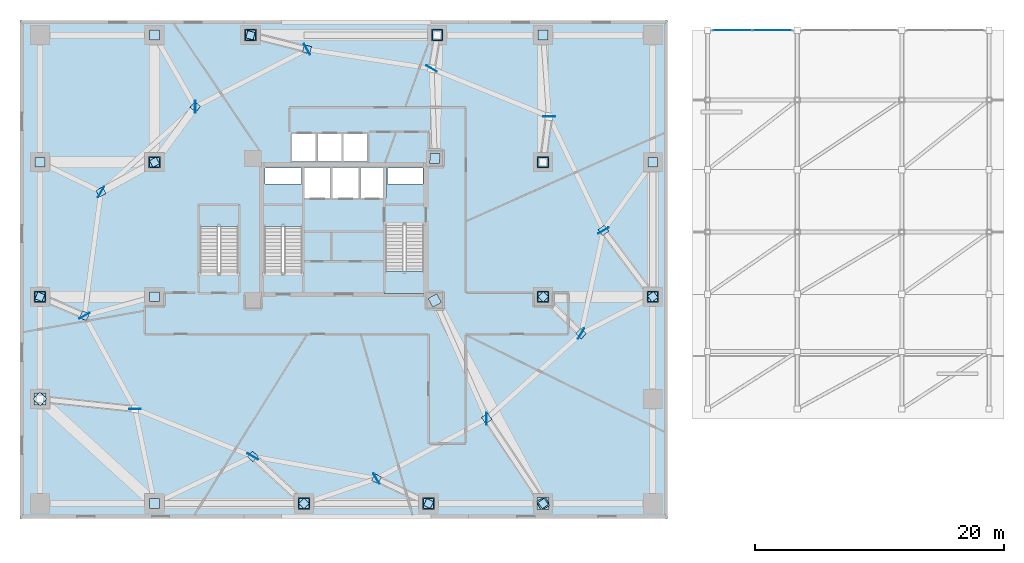
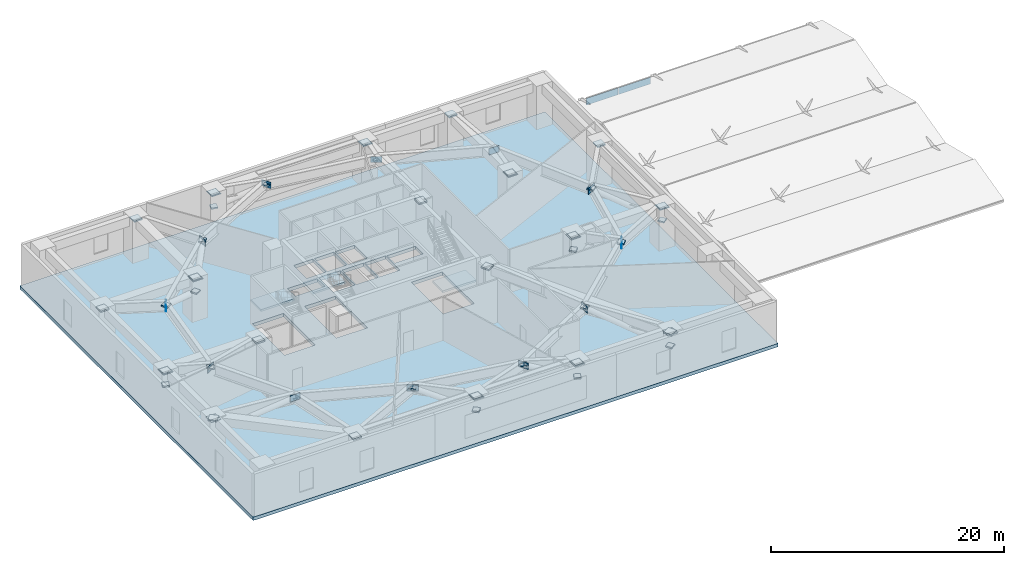
# One storey, part 7 of 13: 61 plates, 4 slabs, 4 elements without a shape of their own.
"""IFC4 building model written with IfcOpenShell, lengths in metres."""

import ifcopenshell
import ifcopenshell.guid

model = None  # the IFC model being written
_history = None  # IfcOwnerHistory: only IFC2X3 demands one
_inside = {}  # id of a spatial element -> (the spatial element, [elements in it])
_under = {}  # id of a project, library or spatial element -> (it, [spatial elements below it])
_declared = {}  # id of a project -> (the project, [libraries it declares])
_typed = {}  # id of a type object -> (the type object, [elements of that type])
_made_of = {}  # id of a material, layer set ... -> (it, [elements and type objects made of it])


def new_model(schema):
    """Start an empty IFC model of exactly this schema.

    Asked for "IFC4X3", IfcOpenShell would pick the latest addendum, in which some entities
    have other attributes; the version numbers below select the first issue.
    IFC2X3 requires an IfcOwnerHistory on every rooted entity: one is made here for all.
    """
    global model, _history
    if schema == "IFC4X3":
        model = ifcopenshell.file(schema_version=(4, 3, 0, 0))
    else:
        model = ifcopenshell.file(schema=schema)
    _inside.clear()
    _under.clear()
    _declared.clear()
    _typed.clear()
    _made_of.clear()
    _history = None
    if model.schema == "IFC2X3":
        org = make("IfcOrganization", Name="unknown")
        user = make(
            "IfcPersonAndOrganization",
            ThePerson=make("IfcPerson", FamilyName="unknown"),
            TheOrganization=org,
        )
        app = make(
            "IfcApplication",
            ApplicationDeveloper=org,
            Version="unknown",
            ApplicationFullName="unknown",
            ApplicationIdentifier="unknown",
        )
        _history = make(
            "IfcOwnerHistory",
            OwningUser=user,
            OwningApplication=app,
            ChangeAction="ADDED",
            CreationDate=0,
        )
    return model


def make(cls, **values):
    """One entity of the class cls with the attributes given. An attribute that is None is left unset."""
    return model.create_entity(
        cls, **{name: value for name, value in values.items() if value is not None}
    )


def rooted(cls, **values):
    """An entity with a GlobalId (a new one), such as an element, a storey or a relation."""
    return make(cls, GlobalId=ifcopenshell.guid.new(), OwnerHistory=_history, **values)


def si_unit(unit_type, name, prefix=None):
    """IfcSIUnit, for example si_unit("LENGTHUNIT", "METRE", prefix="MILLI")."""
    return make("IfcSIUnit", UnitType=unit_type, Prefix=prefix, Name=name)


def assignment(units):
    """IfcUnitAssignment: the units of a project."""
    return None if units is None else make("IfcUnitAssignment", Units=units)


def point(xyz):
    """IfcCartesianPoint."""
    return None if xyz is None else make("IfcCartesianPoint", Coordinates=xyz)


def direction(xyz):
    """IfcDirection."""
    return None if xyz is None else make("IfcDirection", DirectionRatios=xyz)


def frame(location, z_axis=None, x_axis=None):
    """IfcAxis2Placement3D, a coordinate frame: its origin and axes. An axis left out is left unset."""
    return make(
        "IfcAxis2Placement3D",
        Location=point(location),
        Axis=direction(z_axis),
        RefDirection=direction(x_axis),
    )


def frame_2d(location, x_axis=None):
    """IfcAxis2Placement2D, a coordinate frame in the plane: its origin and x axis."""
    return make(
        "IfcAxis2Placement2D", Location=point(location), RefDirection=direction(x_axis)
    )


def origin():
    """The frame at (0, 0, 0) with its axes left unset."""
    return frame((0.0, 0.0, 0.0))


def origin_2d():
    """The frame at (0, 0) in the plane with its x axis left unset."""
    return frame_2d((0.0, 0.0))


def place(relative_to, where):
    """IfcLocalPlacement: puts the frame where relative to a parent placement (None: the world)."""
    return make(
        "IfcLocalPlacement", PlacementRelTo=relative_to, RelativePlacement=where
    )


def context(
    kind, dimensions, precision=None, world=None, true_north=None, identifier=None
):
    """IfcGeometricRepresentationContext, for example the 3D "Model" context."""
    return make(
        "IfcGeometricRepresentationContext",
        ContextIdentifier=identifier,
        ContextType=kind,
        CoordinateSpaceDimension=dimensions,
        Precision=precision,
        WorldCoordinateSystem=world,
        TrueNorth=true_north,
    )


def subcontext(parent, identifier, kind, view, scale=None):
    """IfcGeometricRepresentationSubContext, for example "Body" below "Model"."""
    return make(
        "IfcGeometricRepresentationSubContext",
        ContextIdentifier=identifier,
        ContextType=kind,
        ParentContext=parent,
        TargetScale=scale,
        TargetView=view,
    )


def project(units=None, contexts=None):
    """IfcProject with its units and contexts."""
    return rooted(
        "IfcProject",
        Name="project",
        RepresentationContexts=contexts,
        UnitsInContext=assignment(units),
    )


def spatial(cls, under=None, at=None, **own):
    """A site, building, storey or space (cls), placed at a placement, below another one or the project."""
    s = rooted(cls, ObjectPlacement=at, **own)
    if under is not None:
        _under.setdefault(under.id(), (under, []))[1].append(s)
    return s


def polyline(points):
    """IfcPolyline through the points."""
    return make("IfcPolyline", Points=[point(p) for p in points])


def profile(cls, at=None, kind="AREA", **sizes):
    """A parametric profile (cls). Its sizes go by their IFC names, for example OverallWidth=200.0."""
    return make(cls, ProfileType=kind, Position=at, **sizes)


def rectangle(**sizes):
    """IfcRectangleProfileDef."""
    return profile("IfcRectangleProfileDef", **sizes)


def outline(outer, holes=None, kind="AREA"):
    """IfcArbitraryClosedProfileDef: a profile drawn as a closed curve; with holes, ...WithVoids."""
    if holes is None:
        return make("IfcArbitraryClosedProfileDef", ProfileType=kind, OuterCurve=outer)
    return make(
        "IfcArbitraryProfileDefWithVoids",
        ProfileType=kind,
        OuterCurve=outer,
        InnerCurves=holes,
    )


def extrude(swept, where, along, depth):
    """IfcExtrudedAreaSolid: the profile swept, set in the frame where, extruded along a direction by depth."""
    return make(
        "IfcExtrudedAreaSolid",
        SweptArea=swept,
        Position=where,
        ExtrudedDirection=direction(along),
        Depth=depth,
    )


def shape(context_of_items, identifier, shape_type, items):
    """IfcShapeRepresentation: the items that make up one representation, for example the "Body"."""
    return make(
        "IfcShapeRepresentation",
        ContextOfItems=context_of_items,
        RepresentationIdentifier=identifier,
        RepresentationType=shape_type,
        Items=items,
    )


def source(mapping_origin, context_of_items, identifier, shape_type, items):
    """IfcRepresentationMap: a shape defined once, which mapped items show again and again."""
    return make(
        "IfcRepresentationMap",
        MappingOrigin=mapping_origin,
        MappedRepresentation=shape(context_of_items, identifier, shape_type, items),
    )


def transform(
    local_origin,
    x_axis=None,
    y_axis=None,
    z_axis=None,
    scale=None,
    scale2=None,
    scale3=None,
    uniform=True,
):
    """IfcCartesianTransformationOperator3D, or its non-uniform kind. x_axis, y_axis, z_axis: its Axis1, 2, 3."""
    if uniform:
        return make(
            "IfcCartesianTransformationOperator3D",
            Axis1=direction(x_axis),
            Axis2=direction(y_axis),
            LocalOrigin=point(local_origin),
            Scale=scale,
            Axis3=direction(z_axis),
        )
    return make(
        "IfcCartesianTransformationOperator3DnonUniform",
        Axis1=direction(x_axis),
        Axis2=direction(y_axis),
        LocalOrigin=point(local_origin),
        Scale=scale,
        Axis3=direction(z_axis),
        Scale2=scale2,
        Scale3=scale3,
    )


def mapped(mapping_source, mapping_target):
    """IfcMappedItem: shows the shape of a source again, moved by a transform."""
    return make(
        "IfcMappedItem", MappingSource=mapping_source, MappingTarget=mapping_target
    )


def material(Name=None, Category=None):
    """IfcMaterial."""
    return make("IfcMaterial", Name=Name, Category=Category)


def layer(
    of_material, thickness, ventilated=None, Name=None, Category=None, Priority=None
):
    """IfcMaterialLayer: one layer of a wall or slab, of a material (None: an air gap)."""
    return make(
        "IfcMaterialLayer",
        Material=of_material,
        LayerThickness=thickness,
        IsVentilated=ventilated,
        Name=Name,
        Category=Category,
        Priority=Priority,
    )


def layer_set(layers, Name=None):
    """IfcMaterialLayerSet."""
    return make("IfcMaterialLayerSet", MaterialLayers=layers, LayerSetName=Name)


def made_of(thing, what):
    """Note that an element or type object is made of a material, layer set ...; save() writes the relation."""
    if what is not None:
        _made_of.setdefault(what.id(), (what, []))[1].append(thing)
    return thing


def type_object(cls, material=None, **own):
    """A type object (cls), such as IfcWallType, which elements share."""
    return made_of(rooted(cls, **own), material)


def type_shapes(of_type, sources):
    """Give a type object the sources (RepresentationMaps) that its elements show as mapped items."""
    of_type.RepresentationMaps = sources


def element(
    cls,
    number,
    at=None,
    inside=None,
    cuts=None,
    type_object=None,
    material=None,
    context=None,
    identifier="Body",
    shape_type=None,
    held_by="IfcProductDefinitionShape",
    body=None,
    shapes=None,
    **own,
):
    """One element of the class cls, such as IfcWall. Its Tag is "e" and its number.

    at: its placement. inside: the storey or other place that contains it. cuts: it is an
    opening in that element (IfcRelVoidsElement). A single representation is given by context,
    identifier, shape_type and body (its items); several are given by shapes. held_by: the class
    of the entity that holds the representations. save() writes the other relations.
    """
    e = rooted(cls, Tag="e%d" % number, ObjectPlacement=at, **own)
    if body is not None:
        shapes = [shape(context, identifier, shape_type, body)]
    if shapes is not None:
        e.Representation = make(held_by, Representations=shapes)
    if inside is not None:
        _inside.setdefault(inside.id(), (inside, []))[1].append(e)
    if cuts is not None:
        rooted(
            "IfcRelVoidsElement", RelatingBuildingElement=cuts, RelatedOpeningElement=e
        )
    if type_object is not None:
        _typed.setdefault(type_object.id(), (type_object, []))[1].append(e)
    return made_of(e, material)


def aggregate(whole, parts):
    """IfcRelAggregates: a whole, such as a stair, and the parts it consists of."""
    return rooted("IfcRelAggregates", RelatingObject=whole, RelatedObjects=parts)


def save(model, path):
    """Write the relations noted so far, then the file.

    IfcRelAggregates (storeys below a building ...), IfcRelContainedInSpatialStructure (elements
    in a storey), IfcRelDefinesByType, IfcRelAssociatesMaterial and IfcRelDeclares: one each for
    every whole, place, type object, material and project.
    """
    for whole, parts in _under.values():
        aggregate(whole, parts)
    for where, things in _inside.values():
        rooted(
            "IfcRelContainedInSpatialStructure",
            RelatedElements=things,
            RelatingStructure=where,
        )
    for kind, things in _typed.values():
        rooted("IfcRelDefinesByType", RelatedObjects=things, RelatingType=kind)
    for what, things in _made_of.values():
        rooted("IfcRelAssociatesMaterial", RelatedObjects=things, RelatingMaterial=what)
    for by, libraries in _declared.values():
        rooted("IfcRelDeclares", RelatingContext=by, RelatedDefinitions=libraries)
    model.write(path)


model = new_model("IFC4")

# Units and contexts
model_context = context("Model", 3, precision=1e-05, world=origin(), true_north=direction((0.0, 1.0)))
body_context = subcontext(model_context, "Body", "Model", "MODEL_VIEW")
ifc_project = project(units=[si_unit("LENGTHUNIT", "METRE"), si_unit("AREAUNIT", "SQUARE_METRE"), si_unit("VOLUMEUNIT", "CUBIC_METRE"), si_unit("PLANEANGLEUNIT", "RADIAN"), si_unit("MASSUNIT", "GRAM", prefix="KILO")], contexts=[model_context])

# Site, building, storey
site_placement = place(None, origin())
site = spatial("IfcSite", under=ifc_project, at=site_placement, CompositionType="ELEMENT")
building_placement = place(site_placement, origin())
building = spatial("IfcBuilding", under=site, at=building_placement, Name="Talar Marvaseh", CompositionType="ELEMENT")
storey_placement = place(building_placement, frame((0.0, 0.0, 19.0)))
storey = spatial("IfcBuildingStorey", under=building, at=storey_placement, Name="L04", CompositionType="ELEMENT", Elevation=19.0)

# Stair, slab
ifc_material_1 = material(Name="Concrete C40/50", Category="concrete")
stair_type = type_object("IfcStairType", Name="Reinforced Concrete Half-Turn Exit Stair Type A", PredefinedType="HALF_TURN_STAIR", material=ifc_material_1)
stair_1_placement = place(storey_placement, origin())
stair_1 = element("IfcStair", 1, at=stair_1_placement, inside=storey, type_object=stair_type, Name="L04 Tower West Core Exit Stair", PredefinedType="HALF_TURN_STAIR")
ifc_layer_1 = layer(ifc_material_1, 0.199951171875)
ifc_layer_set_1 = layer_set([ifc_layer_1], Name="Concrete C40/50")
slab_type_1 = type_object("IfcSlabType", Name="Reinforced Concrete Stair Half-Landing Slab 200", PredefinedType="LANDING", material=ifc_layer_set_1)
slab_1_placement = place(storey_placement, frame((0.0, 0.0, 2.300048828125)))
slab_1 = element("IfcSlab", 2, at=slab_1_placement, type_object=slab_type_1, Name="ST-1 landing 1", PredefinedType="LANDING", context=body_context, shape_type="SweptSolid", body=[
    extrude(outline(polyline([(22.780029296875, 31.449951171875), (22.780029296875, 33.219970703125), (19.47998046875, 33.219970703125), (19.47998046875, 31.449951171875), (22.780029296875, 31.449951171875)])), origin(), (0.0, 0.0, 1.0), 0.199951171875),
])
aggregate(stair_1, [slab_1])

stair_2_placement = place(storey_placement, origin())
stair_2 = element("IfcStair", 3, at=stair_2_placement, inside=storey, type_object=stair_type, Name="L04 Tower East Core Exit Stair", PredefinedType="HALF_TURN_STAIR")
slab_2_placement = place(storey_placement, frame((0.0, 0.0, 2.300048828125)))
slab_2 = element("IfcSlab", 4, at=slab_2_placement, type_object=slab_type_1, Name="ST-2 landing 1", PredefinedType="LANDING", context=body_context, shape_type="SweptSolid", body=[
    extrude(outline(polyline([(29.219970703125, 27.85009765625), (29.219970703125, 26.080078125), (32.52001953125, 26.080078125), (32.52001953125, 27.85009765625), (29.219970703125, 27.85009765625)])), origin(), (0.0, 0.0, 1.0), 0.199951171875),
])
aggregate(stair_2, [slab_2])

stair_3_placement = place(storey_placement, origin())
stair_3 = element("IfcStair", 5, at=stair_3_placement, inside=storey, type_object=stair_type, Name="L04 Museum & Podium Auxiliary Exit Stair", PredefinedType="HALF_TURN_STAIR")
slab_3_placement = place(storey_placement, frame((0.0, 0.0, 2.300048828125)))
slab_3 = element("IfcSlab", 6, at=slab_3_placement, type_object=slab_type_1, Name="ST-3 landing 1", PredefinedType="LANDING", context=body_context, shape_type="SweptSolid", body=[
    extrude(outline(polyline([(17.6201171875, 31.449951171875), (17.6201171875, 33.219970703125), (14.320068359375, 33.219970703125), (14.320068359375, 31.449951171875), (17.6201171875, 31.449951171875)])), origin(), (0.0, 0.0, 1.0), 0.199951171875),
])
aggregate(stair_3, [slab_3])

# Slab
ifc_material_2 = material(Name="Concrete C50/60", Category="concrete")
ifc_layer_2 = layer(ifc_material_2, 0.35009765625)
ifc_layer_set_2 = layer_set([ifc_layer_2], Name="Concrete C50/60")
slab_type_2 = type_object("IfcSlabType", Name="Structural Suspended Floor Slab 350", PredefinedType="FLOOR", material=ifc_layer_set_2)
slab_4_placement = place(storey_placement, frame((0.0, 0.0, -0.35009765625)))
element("IfcSlab", 7, at=slab_4_placement, inside=storey, type_object=slab_type_2, Name="L04 Tower Station Podium Floor Slab", PredefinedType="FLOOR", context=body_context, shape_type="SweptSolid", body=[
    extrude(outline(polyline([(0.0, 8.0), (52.0, 8.0), (52.0, 48.0), (0.0, 48.0), (0.0, 8.0)]), holes=[polyline([(22.659912109375, 27.64990234375), (22.659912109375, 33.10009765625), (19.60009765625, 33.10009765625), (19.60009765625, 27.64990234375), (22.659912109375, 27.64990234375)]), polyline([(29.340087890625, 31.64990234375), (29.340087890625, 26.199951171875), (32.39990234375, 26.199951171875), (32.39990234375, 31.64990234375), (29.340087890625, 31.64990234375)]), polyline([(17.5, 27.64990234375), (17.5, 33.10009765625), (14.43994140625, 33.10009765625), (14.43994140625, 27.64990234375), (17.5, 27.64990234375)]), polyline([(22.800048828125, 33.719970703125), (24.93994140625, 33.719970703125), (24.93994140625, 36.179931640625), (22.800048828125, 36.179931640625), (22.800048828125, 33.719970703125)]), polyline([(25.080078125, 33.719970703125), (27.219970703125, 33.719970703125), (27.219970703125, 36.179931640625), (25.080078125, 36.179931640625), (25.080078125, 33.719970703125)]), polyline([(27.360107421875, 33.719970703125), (29.39990234375, 33.719970703125), (29.39990234375, 36.179931640625), (27.360107421875, 36.179931640625), (27.360107421875, 33.719970703125)]), polyline([(21.840087890625, 36.659912109375), (23.760009765625, 36.659912109375), (23.760009765625, 38.8798828125), (21.840087890625, 38.8798828125), (21.840087890625, 36.659912109375)]), polyline([(23.89990234375, 36.659912109375), (25.820068359375, 36.659912109375), (25.820068359375, 38.8798828125), (23.89990234375, 38.8798828125), (23.89990234375, 36.659912109375)]), polyline([(25.9599609375, 36.659912109375), (27.8798828125, 36.659912109375), (27.8798828125, 38.8798828125), (25.9599609375, 38.8798828125), (25.9599609375, 36.659912109375)]), polyline([(19.659912109375, 34.840087890625), (22.60009765625, 34.840087890625), (22.60009765625, 36.139892578125), (19.659912109375, 36.139892578125), (19.659912109375, 34.840087890625)]), polyline([(29.52001953125, 34.840087890625), (32.340087890625, 34.840087890625), (32.340087890625, 36.139892578125), (29.52001953125, 36.139892578125), (29.52001953125, 34.840087890625)])]), origin(), (0.0, 0.0, 1.0), 0.35009765625),
])

# Plates
ifc_material_3 = material(Name="Steel S460", Category="steel")
ifc_layer_3 = layer(ifc_material_3, 0.034912109375)
ifc_layer_set_3 = layer_set([ifc_layer_3], Name="Steel S460")
plate_type_1 = type_object("IfcPlateType", Name="Belt Truss Post Closure Cap Plate 35", PredefinedType="USERDEFINED", material=ifc_layer_set_3)
shared_shape_1 = source(origin(), body_context, "Body", "SweptSolid", [
    extrude(rectangle(XDim=0.800048828125, YDim=0.800048828125, at=origin_2d()), origin(), (0.0, 0.0, 1.0), 0.139892578125),
])
for number, where, z_axis, x_axis, name in (
    (8, (42.0, 36.60009765625, 3.93017578125), (0.0, 0.0, 1.0), (0.0, 1.0, 0.0), "L04 Hollow Member End Cap Plate"),
    (9, (42.0, 46.800048828125, 3.93017578125), (0.0, 0.0, 1.0), (0.0, 1.0, 0.0), "L04 Hollow Member End Cap Plate"),
    (10, (50.800048828125, 25.800048828125, 3.93017578125), (0.0, 0.0, 1.0), (0.0, 1.0, 0.0), "L04 Hollow Member End Cap Plate"),
    (11, (50.800048828125, 36.60009765625, 3.93017578125), (0.0, 0.0, 1.0), (0.0, 1.0, 0.0), "L04 Hollow Member End Cap Plate"),
    (12, (42.0, 25.800048828125, 3.93017578125), (0.0, 0.0, 1.0), (1.0, 0.0, 0.0), "L04 Hollow Member End Cap Plate"),
    (13, (42.0, 9.199951171875, 3.93017578125), (0.0, 0.0, 1.0), (-0.471011881219, 0.882126866018, 0.0), "L04 Hollow Member End Cap Plate"),
    (14, (33.300048828125, 25.5, 3.93017578125), (0.0, 0.0, 1.0), (-0.471011881219, 0.882126866018, 0.0), "L04 Hollow Member End Cap Plate"),
    (15, (32.800048828125, 9.199951171875, 3.93017578125), (0.0, 0.0, 1.0), (-1.0, 0.0, 0.0), "L04 Hollow Member End Cap Plate"),
    (16, (22.800048828125, 9.199951171875, 3.93017578125), (0.0, 0.0, 1.0), (-1.0, 0.0, 0.0), "L04 Hollow Member End Cap Plate"),
    (17, (10.800048828125, 9.199951171875, 3.93017578125), (0.0, 0.0, 1.0), (-1.0, 0.0, 0.0), "L04 Hollow Member End Cap Plate"),
    (18, (1.60009765625, 17.60009765625, 3.93017578125), (0.0, 0.0, 1.0), (0.738455340626, -0.674302387584, 0.0), "L04 Hollow Member End Cap Plate"),
    (19, (1.60009765625, 25.800048828125, 3.93017578125), (0.0, 0.0, 1.0), (1.0, 0.0, 0.0), "L04 Hollow Member End Cap Plate"),
    (20, (10.800048828125, 25.800048828125, 3.93017578125), (0.0, 0.0, 1.0), (1.0, 0.0, 0.0), "L04 Hollow Member End Cap Plate"),
    (21, (10.800048828125, 36.60009765625, 3.93017578125), (0.0, 0.0, 1.0), (-1.0, 0.0, 0.0), "L04 Hollow Member End Cap Plate"),
    (22, (1.60009765625, 36.60009765625, 3.93017578125), (0.0, 0.0, 1.0), (-1.0, 0.0, 0.0), "L04 Hollow Member End Cap Plate"),
    (23, (10.800048828125, 46.800048828125, 3.93017578125), (0.0, 0.0, 1.0), (0.0, 1.0, 0.0), "L04 Hollow Member End Cap Plate"),
    (24, (18.5, 46.800048828125, 3.93017578125), (0.0, 0.0, 1.0), (1.0, 0.0, 0.0), "L04 Hollow Member End Cap Plate"),
    (25, (33.5, 46.800048828125, 3.93017578125), (0.0, 0.0, 1.0), (1.0, 0.0, 0.0), "L04 Hollow Member End Cap Plate"),
    (26, (33.300048828125, 36.89990234375, 3.93017578125), (0.0, 0.0, 1.0), (-0.020942419883, -0.999780683475, 0.0), "L04 Hollow Member End Cap Plate"),
):
    element("IfcPlate", number, at=place(storey_placement, frame(where, z_axis=z_axis, x_axis=x_axis)), inside=storey, type_object=plate_type_1, Name=name, ObjectType="CAP_PLATE", PredefinedType="USERDEFINED", context=body_context, shape_type="MappedRepresentation", body=[
        mapped(shared_shape_1, transform((0.0, 0.0, 0.0), x_axis=(1.0, 0.0, 0.0), y_axis=(0.0, 1.0, 0.0), z_axis=(0.0, 0.0, 1.0), scale=1.0)),
    ])
ifc_layer_4 = layer(ifc_material_3, 0.030029296875)
ifc_layer_set_4 = layer_set([ifc_layer_4], Name="Steel S460")
plate_type_2 = type_object("IfcPlateType", Name="Heavy Box End Closure Cap Plate 30", PredefinedType="USERDEFINED", material=ifc_layer_set_4)
shared_shape_2 = source(origin(), body_context, "Body", "SweptSolid", [
    extrude(rectangle(XDim=0.60009765625, YDim=0.60009765625, at=origin_2d()), origin(), (0.0, 0.0, 1.0), 0.139892578125),
])
type_shapes(plate_type_2, [shared_shape_2])
for number, where, z_axis, x_axis, name in (
    (27, (50.800048828125, 25.800048828125, 2.47998046875), (0.0, 0.0, 1.0), (-0.597625146976, 0.801775644244, 0.0), "L04 Hollow Member End Cap Plate"),
    (28, (46.841064453125, 31.118896484375, 3.97998046875), (0.0, 0.0, 1.0), (-0.597625146976, 0.801775644244, 0.0), "L04 Hollow Member End Cap Plate"),
    (29, (42.0, 25.800048828125, 2.47998046875), (0.0, 0.0, 1.0), (0.71691060765, -0.697165102855, 0.0), "L04 Hollow Member End Cap Plate"),
    (30, (45.0439453125, 22.840087890625, 3.97998046875), (0.0, 0.0, 1.0), (0.71691060765, -0.697165102855, 0.0), "L04 Hollow Member End Cap Plate"),
    (31, (42.0, 9.199951171875, 2.47998046875), (0.0, 0.0, 1.0), (-0.553391549243, 0.83292124071, 0.0), "L04 Hollow Member End Cap Plate"),
    (32, (37.468017578125, 16.02099609375, 3.97998046875), (0.0, 0.0, 1.0), (-0.553391549243, 0.83292124071, 0.0), "L04 Hollow Member End Cap Plate"),
    (33, (32.800048828125, 9.199951171875, 2.47998046875), (0.0, 0.0, 1.0), (-0.90258528435, 0.430511096808, 0.0), "L04 Hollow Member End Cap Plate"),
    (34, (28.625, 11.195068359375, 3.97998046875), (0.0, 0.0, 1.0), (-0.90258528435, 0.430511096808, 0.0), "L04 Hollow Member End Cap Plate"),
    (35, (22.800048828125, 9.199951171875, 2.47998046875), (0.0, 0.0, 1.0), (-0.73727733681, 0.675590207616, 0.0), "L04 Hollow Member End Cap Plate"),
    (36, (18.68310546875, 12.97900390625, 3.97998046875), (0.0, 0.0, 1.0), (-0.73727733681, 0.675590207616, 0.0), "L04 Hollow Member End Cap Plate"),
    (37, (1.60009765625, 25.800048828125, 2.47998046875), (0.0, 0.0, 1.0), (0.919821497322, -0.392337116604, 0.0), "L04 Hollow Member End Cap Plate"),
    (38, (5.175048828125, 24.27587890625, 3.97998046875), (0.0, 0.0, 1.0), (0.919821497322, -0.392337116604, 0.0), "L04 Hollow Member End Cap Plate"),
    (39, (10.800048828125, 36.60009765625, 2.47998046875), (0.0, 0.0, 1.0), (-0.874619707139, -0.484809620246, 0.0), "L04 Hollow Member End Cap Plate"),
    (40, (6.501953125, 34.214111328125, 3.97998046875), (0.0, 0.0, 1.0), (-0.874619707139, -0.484809620246, 0.0), "L04 Hollow Member End Cap Plate"),
    (41, (14.069091796875, 41.04296875, 3.97998046875), (0.0, 0.0, 1.0), (0.592013178799, 0.805928282249, 0.0), "L04 Hollow Member End Cap Plate"),
    (42, (18.5, 46.800048828125, 2.47998046875), (0.0, 0.0, 1.0), (0.970295726276, -0.2419218956, 0.0), "L04 Hollow Member End Cap Plate"),
    (43, (23.047119140625, 45.6669921875, 3.97998046875), (0.0, 0.0, 1.0), (0.970295726276, -0.2419218956, 0.0), "L04 Hollow Member End Cap Plate"),
):
    element("IfcPlate", number, at=place(storey_placement, frame(where, z_axis=z_axis, x_axis=x_axis)), inside=storey, type_object=plate_type_2, Name=name, ObjectType="CAP_PLATE", PredefinedType="USERDEFINED", context=body_context, shape_type="MappedRepresentation", body=[
        mapped(shared_shape_2, transform((0.0, 0.0, 0.0), x_axis=(1.0, 0.0, 0.0), y_axis=(0.0, 1.0, 0.0), z_axis=(0.0, 0.0, 1.0), scale=1.0)),
    ])
ifc_layer_5 = layer(ifc_material_3, 0.044921875)
ifc_layer_set_5 = layer_set([ifc_layer_5], Name="Steel S460")
plate_type_3 = type_object("IfcPlateType", Name="Transfer Truss Heavy Gusset Plate 45", PredefinedType="USERDEFINED", material=ifc_layer_set_5)
shared_shape_3 = source(origin(), body_context, "Body", "SweptSolid", [
    extrude(rectangle(XDim=0.9599609375, YDim=0.044921875, at=origin_2d()), origin(), (0.0, 0.0, 1.0), 0.639892578125),
])
type_shapes(plate_type_3, [shared_shape_3])
for number, where, z_axis, x_axis, name in (
    (44, (42.47705078125, 40.26904296875, 3.68017578125), (0.0, 0.0, 1.0), (1.0, 0.0, 0.0), "L04 Transfer Truss Node Gusset Plate 1"),
    (45, (46.841064453125, 31.118896484375, 3.68017578125), (0.0, 0.0, 1.0), (0.866025403784, 0.5, 0.0), "L04 Transfer Truss Node Gusset Plate 2"),
    (46, (45.0439453125, 22.840087890625, 3.68017578125), (0.0, 0.0, 1.0), (0.5, 0.866025403784, 0.0), "L04 Transfer Truss Node Gusset Plate 3"),
    (47, (37.468017578125, 16.02099609375, 3.68017578125), (0.0, 0.0, 1.0), (0.0, 1.0, 0.0), "L04 Transfer Truss Node Gusset Plate 4"),
    (48, (28.625, 11.195068359375, 3.68017578125), (0.0, 0.0, 1.0), (-0.5, 0.866025403784, 0.0), "L04 Transfer Truss Node Gusset Plate 5"),
    (49, (18.68310546875, 12.97900390625, 3.68017578125), (0.0, 0.0, 1.0), (-0.866025403784, 0.5, 0.0), "L04 Transfer Truss Node Gusset Plate 6"),
    (50, (9.23193359375, 16.7958984375, 3.68017578125), (0.0, 0.0, 1.0), (-1.0, 0.0, 0.0), "L04 Transfer Truss Node Gusset Plate 7"),
    (51, (5.175048828125, 24.27587890625, 3.68017578125), (0.0, 0.0, 1.0), (-0.866025403784, -0.5, 0.0), "L04 Transfer Truss Node Gusset Plate 8"),
    (52, (6.501953125, 34.214111328125, 3.68017578125), (0.0, 0.0, 1.0), (-0.5, -0.866025403784, 0.0), "L04 Transfer Truss Node Gusset Plate 9"),
    (53, (14.069091796875, 41.04296875, 3.68017578125), (0.0, 0.0, 1.0), (0.0, -1.0, 0.0), "L04 Transfer Truss Node Gusset Plate 10"),
    (54, (23.047119140625, 45.6669921875, 3.68017578125), (0.0, 0.0, 1.0), (0.5, -0.866025403784, 0.0), "L04 Transfer Truss Node Gusset Plate 11"),
    (55, (33.0458984375, 44.117919921875, 3.68017578125), (0.0, 0.0, 1.0), (0.866025403784, -0.5, 0.0), "L04 Transfer Truss Node Gusset Plate 12"),
):
    element("IfcPlate", number, at=place(storey_placement, frame(where, z_axis=z_axis, x_axis=x_axis)), inside=storey, type_object=plate_type_3, Name=name, ObjectType="GUSSET_PLATE", PredefinedType="USERDEFINED", context=body_context, shape_type="MappedRepresentation", body=[
        mapped(shared_shape_3, transform((0.0, 0.0, 0.0), x_axis=(1.0, 0.0, 0.0), y_axis=(0.0, 1.0, 0.0), z_axis=(0.0, 0.0, 1.0), scale=1.0)),
    ])
shared_shape_4 = source(origin(), body_context, "Body", "SweptSolid", [
    extrude(rectangle(XDim=0.9599609375, YDim=0.9599609375, at=origin_2d()), origin(), (0.0, 0.0, 1.0), 0.034912109375),
])
type_shapes(plate_type_1, [shared_shape_1, shared_shape_4])
for number, where, z_axis, x_axis, name in (
    (56, (42.0, 36.60009765625, 3.982421875), (0.0, 0.0, 1.0), (1.0, 0.0, 0.0), "L04 Transfer Chord End Cap Plate 1"),
    (57, (50.800048828125, 25.800048828125, 3.982421875), (0.0, 0.0, 1.0), (1.0, 0.0, 0.0), "L04 Transfer Chord End Cap Plate 2"),
    (58, (42.0, 25.800048828125, 3.982421875), (0.0, 0.0, 1.0), (1.0, 0.0, 0.0), "L04 Transfer Chord End Cap Plate 3"),
    (59, (42.0, 9.199951171875, 3.982421875), (0.0, 0.0, 1.0), (1.0, 0.0, 0.0), "L04 Transfer Chord End Cap Plate 4"),
    (60, (32.800048828125, 9.199951171875, 3.982421875), (0.0, 0.0, 1.0), (1.0, 0.0, 0.0), "L04 Transfer Chord End Cap Plate 5"),
    (61, (22.800048828125, 9.199951171875, 3.982421875), (0.0, 0.0, 1.0), (1.0, 0.0, 0.0), "L04 Transfer Chord End Cap Plate 6"),
    (62, (1.60009765625, 17.60009765625, 3.982421875), (0.0, 0.0, 1.0), (1.0, 0.0, 0.0), "L04 Transfer Chord End Cap Plate 7"),
    (63, (1.60009765625, 25.800048828125, 3.982421875), (0.0, 0.0, 1.0), (1.0, 0.0, 0.0), "L04 Transfer Chord End Cap Plate 8"),
    (64, (10.800048828125, 36.60009765625, 3.982421875), (0.0, 0.0, 1.0), (1.0, 0.0, 0.0), "L04 Transfer Chord End Cap Plate 9"),
    (65, (18.5, 46.800048828125, 3.982421875), (0.0, 0.0, 1.0), (1.0, 0.0, 0.0), "L04 Transfer Chord End Cap Plate 11"),
    (66, (33.5, 46.800048828125, 3.982421875), (0.0, 0.0, 1.0), (1.0, 0.0, 0.0), "L04 Transfer Chord End Cap Plate 12"),
):
    element("IfcPlate", number, at=place(storey_placement, frame(where, z_axis=z_axis, x_axis=x_axis)), inside=storey, type_object=plate_type_1, Name=name, ObjectType="CAP_PLATE", PredefinedType="USERDEFINED", context=body_context, shape_type="MappedRepresentation", body=[
        mapped(shared_shape_4, transform((0.0, 0.0, 0.0), x_axis=(1.0, 0.0, 0.0), y_axis=(0.0, 1.0, 0.0), z_axis=(0.0, 0.0, 1.0), scale=1.0)),
    ])

# Curtain wall, plates
ifc_material_4 = material(Name="Architectural Aluminium", Category="aluminium")
ifc_layer_6 = layer(ifc_material_4, 0.169921875)
ifc_layer_set_6 = layer_set([ifc_layer_6], Name="Architectural Aluminium")
curtain_wall_type = type_object("IfcCurtainWallType", Name="Market Hall Clerestory and Courtyard Curtain Wall", PredefinedType="NOTDEFINED", material=ifc_layer_set_6)
curtain_wall_placement = place(storey_placement, origin())
curtain_wall = element("IfcCurtainWall", 67, at=curtain_wall_placement, inside=storey, type_object=curtain_wall_type, Name="L04 Market Hall Clerestory and Courtyard Curtain Wall", PredefinedType="NOTDEFINED")
ifc_material_5 = material(Name="Laminated Low-E Solar Glass", Category="glass")
ifc_layer_7 = layer(ifc_material_5, 0.028076171875)
ifc_layer_set_7 = layer_set([ifc_layer_7], Name="Laminated Low-E Solar Glass")
plate_type_4 = type_object("IfcPlateType", Name="Double-Glazed Low-E Vision Curtain Panel 28", PredefinedType="CURTAIN_PANEL", material=ifc_layer_set_7)
shared_shape_5 = source(origin(), body_context, "Body", "SweptSolid", [
    extrude(rectangle(XDim=3.142578125, YDim=0.028076171875, at=origin_2d()), origin(), (0.0, 0.0, 1.0), 0.699951171875),
])
type_shapes(plate_type_4, [shared_shape_5])
plate_1_placement = place(storey_placement, frame((57.1962890625, 47.199951171875, -0.0849609375), z_axis=(0.0, 0.0, 1.0), x_axis=(1.0, 0.0, 0.0)))
plate_1 = element("IfcPlate", 68, at=plate_1_placement, type_object=plate_type_4, Name="CW-MKT panel 1.1", PredefinedType="CURTAIN_PANEL", context=body_context, shape_type="MappedRepresentation", body=[
    mapped(shared_shape_5, transform((0.0, 0.0, 0.0), x_axis=(1.0, 0.0, 0.0), y_axis=(0.0, 1.0, 0.0), z_axis=(0.0, 0.0, 1.0), scale=1.0)),
])
plate_2_placement = place(storey_placement, frame((60.40380859375, 47.199951171875, -0.0849609375), z_axis=(0.0, 0.0, 1.0), x_axis=(1.0, 0.0, 0.0)))
plate_2 = element("IfcPlate", 69, at=plate_2_placement, type_object=plate_type_4, Name="CW-MKT panel 2.1", PredefinedType="CURTAIN_PANEL", context=body_context, shape_type="MappedRepresentation", body=[
    mapped(shared_shape_5, transform((0.0, 0.0, 0.0), x_axis=(1.0, 0.0, 0.0), y_axis=(0.0, 1.0, 0.0), z_axis=(0.0, 0.0, 1.0), scale=1.0)),
])
aggregate(curtain_wall, [plate_1, plate_2])

save(model, "model.ifc")
